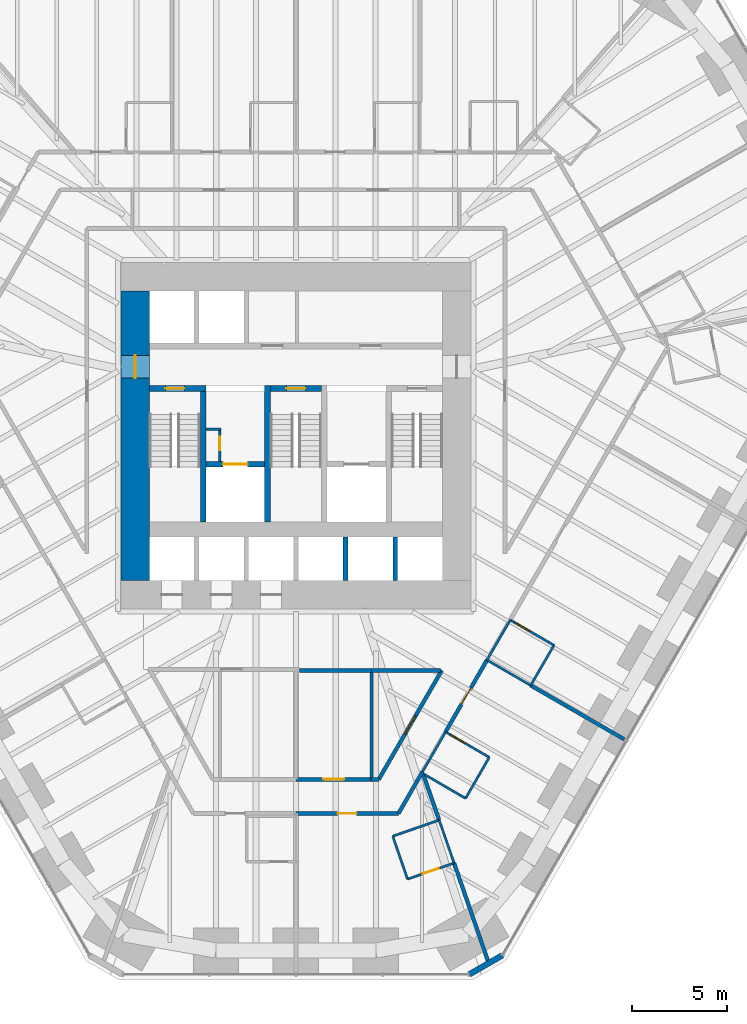
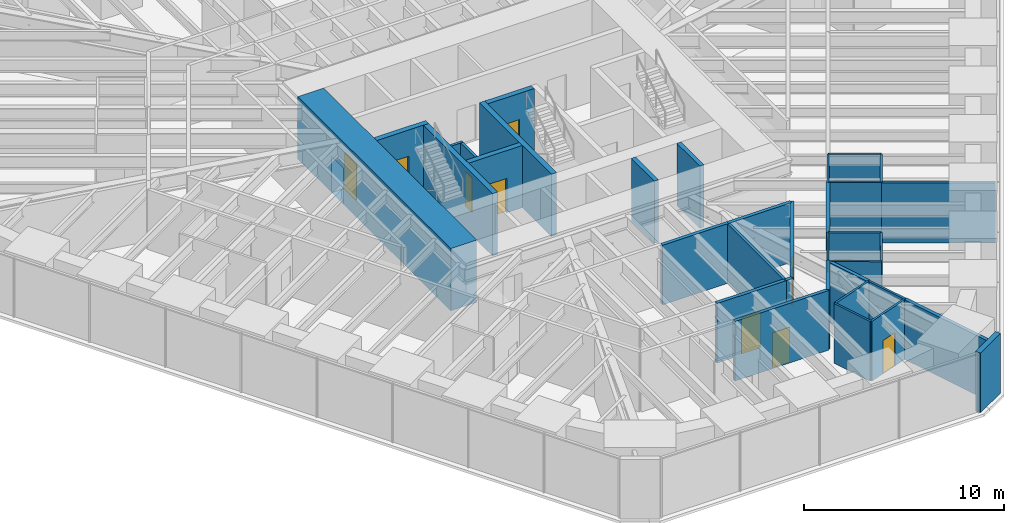
# One storey, part 12 of 17: 35 walls, 12 doors, 12 openings.
"""IFC4 building model written with IfcOpenShell, lengths in metres."""

from ifc_helpers import new_model, si_unit, direction, frame, frame_2d, origin, place, context, subcontext, project, spatial, rectangle, extrude, material, layer, layer_set, type_object, element, fill, save


model = new_model("IFC4")

# Units and contexts
model_context = context("Model", 3, precision=1e-05, world=origin(), true_north=direction((0.0, 1.0)))
body_context = subcontext(model_context, "Body", "Model", "MODEL_VIEW")
ifc_project = project(units=[si_unit("LENGTHUNIT", "METRE"), si_unit("AREAUNIT", "SQUARE_METRE"), si_unit("VOLUMEUNIT", "CUBIC_METRE"), si_unit("PLANEANGLEUNIT", "RADIAN"), si_unit("MASSUNIT", "GRAM", prefix="KILO")], contexts=[model_context])

# Site, building, storey
site_placement = place(None, origin())
site = spatial("IfcSite", under=ifc_project, at=site_placement, CompositionType="ELEMENT")
building_placement = place(site_placement, origin())
building = spatial("IfcBuilding", under=site, at=building_placement, Name="Sandreach Pilgrim Tower", CompositionType="ELEMENT")
storey_placement = place(building_placement, frame((0.0, 0.0, 49.60009765625)))
storey = spatial("IfcBuildingStorey", under=building, at=storey_placement, Name="L11", CompositionType="ELEMENT", Elevation=49.60009765625)

# Walls
ifc_material_1 = material(Name="Gypsum board on steel studs", Category="steel")
ifc_layer_1 = layer(ifc_material_1, 0.14990234375)
ifc_layer_set_1 = layer_set([ifc_layer_1], Name="Back of house wall 150")
wall_type_1 = type_object("IfcWallType", Name="Back of house wall 150", PredefinedType="PARTITIONING", material=ifc_layer_set_1)
wall_1_placement = place(storey_placement, frame((4.0, -13.949951171875, 0.0), z_axis=(0.0, 0.0, 1.0), x_axis=(0.0, -1.0, 0.0)))
element("IfcWall", 1, at=wall_1_placement, inside=storey, type_object=wall_type_1, Name="Back of house wall L11-073", PredefinedType="PARTITIONING", context=body_context, shape_type="SweptSolid", body=[
    extrude(rectangle(XDim=5.760009765625, YDim=0.14990234375, at=frame_2d((2.8798828125, 0.0))), origin(), (0.0, 0.0, 1.0), 3.639892578125),
])
ifc_material_2 = material(Name="Moisture-resistant gypsum board on steel studs", Category="steel")
ifc_layer_2 = layer(ifc_material_2, 0.1201171875)
ifc_layer_set_2 = layer_set([ifc_layer_2], Name="Bathroom partition 120")
wall_type_2 = type_object("IfcWallType", Name="Bathroom partition 120", PredefinedType="PARTITIONING", material=ifc_layer_set_2)
wall_2_placement = place(storey_placement, frame((5.1201171875, -22.7099609375, 0.0), z_axis=(0.0, 0.0, 1.0), x_axis=(0.324880771143, -0.945754981241, 0.0)))
element("IfcWall", 2, at=wall_2_placement, inside=storey, type_object=wall_type_2, Name="Bathroom partition L11-078", PredefinedType="PARTITIONING", context=body_context, shape_type="SweptSolid", body=[
    extrude(rectangle(XDim=2.400146484375, YDim=0.1201171875, at=frame_2d((1.2001953125, 0.0))), origin(), (0.0, 0.0, 1.0), 3.639892578125),
])

# Wall, opening, door
wall_3_placement = place(storey_placement, frame((5.89990234375, -24.97998046875, 0.0), z_axis=(0.0, 0.0, 1.0), x_axis=(0.945165466094, 0.326591857987, 0.0)))
wall_3 = element("IfcWall", 3, at=wall_3_placement, inside=storey, type_object=wall_type_2, Name="Bathroom partition L11-080", PredefinedType="PARTITIONING", context=body_context, shape_type="SweptSolid", body=[
    extrude(rectangle(XDim=2.60302734375, YDim=0.1201171875, at=frame_2d((1.301513671875, 0.0))), origin(), (0.0, 0.0, 1.0), 3.639892578125),
])
opening_1_placement = place(wall_3_placement, frame((0.85009765625, 0.0, 0.0)))
opening_1 = element("IfcOpeningElement", 4, at=opening_1_placement, cuts=wall_3, Name="Opening D09-10B", PredefinedType="OPENING", context=body_context, shape_type="SweptSolid", body=[
    extrude(rectangle(XDim=0.89990234375, YDim=2.030029296875, at=frame_2d((0.449951171875, 1.01513671875))), frame((0.0, 0.06005859375, 0.0), z_axis=(0.0, -1.0, 0.0), x_axis=(1.0, 0.0, 0.0)), (0.0, 0.0, 1.0), 0.1201171875),
])
ifc_material_3 = material(Name="Timber door, steel frame", Category="steel")
door_type_1 = type_object("IfcDoorType", Name="Bathroom door", OperationType="SINGLE_SWING_LEFT", PredefinedType="DOOR", material=ifc_material_3)
door_1_placement = place(opening_1_placement, origin())
door_1 = element("IfcDoor", 5, at=door_1_placement, inside=storey, type_object=door_type_1, Name="Door 1110B", OperationType="SINGLE_SWING_LEFT", OverallHeight=2.030029296875, OverallWidth=0.89990234375, PredefinedType="DOOR", context=body_context, shape_type="SweptSolid", body=[
    extrude(rectangle(XDim=0.89990234375, YDim=2.030029296875, at=frame_2d((0.449951171875, 1.01513671875))), frame((0.0, 0.02490234375, 0.0), z_axis=(0.0, -1.0, 0.0), x_axis=(1.0, 0.0, 0.0)), (0.0, 0.0, 1.0), 0.050048828125),
])
fill(opening_1, door_1)

# Walls
wall_4_placement = place(storey_placement, frame((6.68994140625, -19.31005859375, 0.0), z_axis=(0.0, 0.0, 1.0), x_axis=(0.500522890398, 0.865723302324, 0.0)))
element("IfcWall", 6, at=wall_4_placement, inside=storey, type_object=wall_type_2, Name="Bathroom partition L11-085", PredefinedType="PARTITIONING", context=body_context, shape_type="SweptSolid", body=[
    extrude(rectangle(XDim=2.4375, YDim=0.1201171875, at=frame_2d((1.21875, 0.0))), origin(), (0.0, 0.0, 1.0), 3.639892578125),
])
wall_5_placement = place(storey_placement, frame((6.807861328125, -19.455078125, 0.0), z_axis=(0.0, 0.0, 1.0), x_axis=(0.864881956308, -0.501975299844, 0.0)))
element("IfcWall", 7, at=wall_5_placement, inside=storey, type_object=wall_type_2, Name="Bathroom partition L11-086", PredefinedType="PARTITIONING", context=body_context, shape_type="SweptSolid", body=[
    extrude(rectangle(XDim=2.5, YDim=0.1201171875, at=frame_2d((1.25, 0.0))), origin(), (0.0, 0.0, 1.0), 3.639892578125),
])
wall_6_placement = place(storey_placement, frame((7.570068359375, -21.860107421875, 0.0), z_axis=(0.0, 0.0, 1.0), x_axis=(-0.944782191137, -0.327698964463, 0.0)))
element("IfcWall", 8, at=wall_6_placement, inside=storey, type_object=wall_type_2, Name="Bathroom partition L11-087", PredefinedType="PARTITIONING", context=body_context, shape_type="SweptSolid", body=[
    extrude(rectangle(XDim=2.593505859375, YDim=0.1201171875, at=frame_2d((1.296875, 0.0))), origin(), (0.0, 0.0, 1.0), 3.639892578125),
])
wall_7_placement = place(storey_placement, frame((7.570068359375, -21.860107421875, 0.0), z_axis=(0.0, 0.0, 1.0), x_axis=(0.328725498061, -0.944425511581, 0.0)))
element("IfcWall", 9, at=wall_7_placement, inside=storey, type_object=wall_type_2, Name="Bathroom partition L11-089", PredefinedType="PARTITIONING", context=body_context, shape_type="SweptSolid", body=[
    extrude(rectangle(XDim=2.4033203125, YDim=0.1201171875, at=frame_2d((1.20166015625, 0.0))), origin(), (0.0, 0.0, 1.0), 3.639892578125),
])
wall_8_placement = place(storey_placement, frame((8.969970703125, -20.7099609375, 0.0), z_axis=(0.0, 0.0, 1.0), x_axis=(0.499159685399, 0.866510016372, 0.0)))
element("IfcWall", 10, at=wall_8_placement, inside=storey, type_object=wall_type_2, Name="Bathroom partition L11-096", PredefinedType="PARTITIONING", context=body_context, shape_type="SweptSolid", body=[
    extrude(rectangle(XDim=2.504150390625, YDim=0.1201171875, at=frame_2d((1.251953125, 0.0))), origin(), (0.0, 0.0, 1.0), 3.639892578125),
])
wall_9_placement = place(storey_placement, frame((10.10009765625, -13.39990234375, 0.0), z_axis=(0.0, 0.0, 1.0), x_axis=(0.501856726365, 0.86495076519, 0.0)))
element("IfcWall", 11, at=wall_9_placement, inside=storey, type_object=wall_type_2, Name="Bathroom partition L11-099", PredefinedType="PARTITIONING", context=body_context, shape_type="SweptSolid", body=[
    extrude(rectangle(XDim=2.450927734375, YDim=0.1201171875, at=frame_2d((1.2255859375, 0.0))), origin(), (0.0, 0.0, 1.0), 3.639892578125),
])
wall_10_placement = place(storey_placement, frame((10.10009765625, -13.39990234375, 0.0), z_axis=(0.0, 0.0, 1.0), x_axis=(0.864966903181, -0.501828911485, 0.0)))
element("IfcWall", 12, at=wall_10_placement, inside=storey, type_object=wall_type_2, Name="Bathroom partition L11-100", PredefinedType="PARTITIONING", context=body_context, shape_type="SweptSolid", body=[
    extrude(rectangle(XDim=2.67041015625, YDim=0.1201171875, at=frame_2d((1.335205078125, 0.0))), origin(), (0.0, 0.0, 1.0), 3.639892578125),
])

# Wall, opening, door
wall_11_placement = place(storey_placement, frame((10.219970703125, -18.5400390625, 0.0), z_axis=(0.0, 0.0, 1.0), x_axis=(-0.86498992408, 0.501789229896, 0.0)))
wall_11 = element("IfcWall", 13, at=wall_11_placement, inside=storey, type_object=wall_type_2, Name="Bathroom partition L11-101", PredefinedType="PARTITIONING", context=body_context, shape_type="SweptSolid", body=[
    extrude(rectangle(XDim=2.670654296875, YDim=0.1201171875, at=frame_2d((1.33544921875, 0.0))), origin(), (0.0, 0.0, 1.0), 3.639892578125),
])
opening_2_placement = place(wall_11_placement, frame((1.470458984375, 0.0, 0.0)))
opening_2 = element("IfcOpeningElement", 14, at=opening_2_placement, cuts=wall_11, Name="Opening D09-09B", PredefinedType="OPENING", context=body_context, shape_type="SweptSolid", body=[
    extrude(rectangle(XDim=0.89990234375, YDim=2.030029296875, at=frame_2d((0.449951171875, 1.01513671875))), frame((0.0, 0.06005859375, 0.0), z_axis=(0.0, -1.0, 0.0), x_axis=(1.0, 0.0, 0.0)), (0.0, 0.0, 1.0), 0.1201171875),
])
door_2_placement = place(opening_2_placement, origin())
door_2 = element("IfcDoor", 15, at=door_2_placement, inside=storey, type_object=door_type_1, Name="Door 1109B", OperationType="SINGLE_SWING_RIGHT", OverallHeight=2.030029296875, OverallWidth=0.89990234375, PredefinedType="DOOR", context=body_context, shape_type="SweptSolid", body=[
    extrude(rectangle(XDim=0.89990234375, YDim=2.030029296875, at=frame_2d((0.449951171875, 1.01513671875))), frame((0.0, 0.02490234375, 0.0), z_axis=(0.0, -1.0, 0.0), x_axis=(1.0, 0.0, 0.0)), (0.0, 0.0, 1.0), 0.050048828125),
])
fill(opening_2, door_2)

# Wall
wall_12_placement = place(storey_placement, frame((12.409912109375, -14.739990234375, 0.0), z_axis=(0.0, 0.0, 1.0), x_axis=(0.501813488763, 0.864975850817, 0.0)))
element("IfcWall", 16, at=wall_12_placement, inside=storey, type_object=wall_type_2, Name="Bathroom partition L11-109", PredefinedType="PARTITIONING", context=body_context, shape_type="SweptSolid", body=[
    extrude(rectangle(XDim=2.451171875, YDim=0.1201171875, at=frame_2d((1.2255859375, 0.0))), origin(), (0.0, 0.0, 1.0), 3.639892578125),
])

# Wall, opening, door
wall_13_placement = place(storey_placement, frame((13.639892578125, -12.6201171875, 0.0), z_axis=(0.0, 0.0, 1.0), x_axis=(-0.864966903181, 0.501828911485, 0.0)))
wall_13 = element("IfcWall", 17, at=wall_13_placement, inside=storey, type_object=wall_type_2, Name="Bathroom partition L11-114", PredefinedType="PARTITIONING", context=body_context, shape_type="SweptSolid", body=[
    extrude(rectangle(XDim=2.67041015625, YDim=0.1201171875, at=frame_2d((1.335205078125, 0.0))), origin(), (0.0, 0.0, 1.0), 3.639892578125),
])
opening_3_placement = place(wall_13_placement, frame((1.470458984375, 0.0, 0.0)))
opening_3 = element("IfcOpeningElement", 18, at=opening_3_placement, cuts=wall_13, Name="Opening D09-08B", PredefinedType="OPENING", context=body_context, shape_type="SweptSolid", body=[
    extrude(rectangle(XDim=0.89990234375, YDim=2.030029296875, at=frame_2d((0.449951171875, 1.01513671875))), frame((0.0, 0.06005859375, 0.0), z_axis=(0.0, -1.0, 0.0), x_axis=(1.0, 0.0, 0.0)), (0.0, 0.0, 1.0), 0.1201171875),
])
door_3_placement = place(opening_3_placement, origin())
door_3 = element("IfcDoor", 19, at=door_3_placement, inside=storey, type_object=door_type_1, Name="Door 1108B", OperationType="SINGLE_SWING_RIGHT", OverallHeight=2.030029296875, OverallWidth=0.89990234375, PredefinedType="DOOR", context=body_context, shape_type="SweptSolid", body=[
    extrude(rectangle(XDim=0.89990234375, YDim=2.030029296875, at=frame_2d((0.449951171875, 1.01513671875))), frame((0.0, 0.02490234375, 0.0), z_axis=(0.0, -1.0, 0.0), x_axis=(1.0, 0.0, 0.0)), (0.0, 0.0, 1.0), 0.050048828125),
])
fill(opening_3, door_3)

# Walls
ifc_material_4 = material(Name="Concrete 10000 psi", Category="concrete")
ifc_layer_3 = layer(ifc_material_4, 0.300048828125)
ifc_layer_set_3 = layer_set([ifc_layer_3], Name="Core inner wall 300")
wall_type_3 = type_object("IfcWallType", Name="Core inner wall 300", PredefinedType="SHEAR", material=ifc_layer_set_3)
for number, where, z_axis, x_axis, name in (
    (20, (-4.89990234375, -6.10009765625, 0.0), (0.0, 0.0, 1.0), (0.0, 1.0, 0.0), "Core wall I0 L11"),
    (21, (-1.5, -6.10009765625, 0.0), (0.0, 0.0, 1.0), (0.0, 1.0, 0.0), "Core wall I1 L11"),
):
    element("IfcWall", number, at=place(storey_placement, frame(where, z_axis=z_axis, x_axis=x_axis)), inside=storey, type_object=wall_type_3, Name=name, PredefinedType="SHEAR", context=body_context, shape_type="SweptSolid", body=[
        extrude(rectangle(XDim=7.2001953125, YDim=0.300048828125, at=frame_2d((3.60009765625, 0.0))), origin(), (0.0, 0.0, 1.0), 3.7998046875),
    ])

# Wall, opening, door
wall_14_placement = place(storey_placement, frame((-7.75, 0.949951171875, 0.0), z_axis=(0.0, 0.0, 1.0), x_axis=(1.0, 0.0, 0.0)))
wall_14 = element("IfcWall", 22, at=wall_14_placement, inside=storey, type_object=wall_type_3, Name="Core wall SN1 L11", PredefinedType="SHEAR", context=body_context, shape_type="SweptSolid", body=[
    extrude(rectangle(XDim=3.0, YDim=0.300048828125, at=frame_2d((1.5, 0.0))), origin(), (0.0, 0.0, 1.0), 3.7998046875),
])
opening_4_placement = place(wall_14_placement, frame((0.85009765625, 0.0, 0.0)))
opening_4 = element("IfcOpeningElement", 23, at=opening_4_placement, cuts=wall_14, Name="Opening D10S-ST1", PredefinedType="OPENING", context=body_context, shape_type="SweptSolid", body=[
    extrude(rectangle(XDim=1.0, YDim=2.199951171875, at=frame_2d((0.5, 1.10009765625))), frame((0.0, 0.14990234375, 0.0), z_axis=(0.0, -1.0, 0.0), x_axis=(1.0, 0.0, 0.0)), (0.0, 0.0, 1.0), 0.300048828125),
])
ifc_material_5 = material(Name="Steel door and frame", Category="steel")
door_type_2 = type_object("IfcDoorType", Name="Stair door", OperationType="SINGLE_SWING_LEFT", PredefinedType="DOOR", material=ifc_material_5)
door_4_placement = place(opening_4_placement, origin())
door_4 = element("IfcDoor", 24, at=door_4_placement, inside=storey, type_object=door_type_2, Name="Stair door ST1 L11", OperationType="SINGLE_SWING_LEFT", OverallHeight=2.199951171875, OverallWidth=1.0, PredefinedType="DOOR", context=body_context, shape_type="SweptSolid", body=[
    extrude(rectangle(XDim=1.0, YDim=2.199951171875, at=frame_2d((0.5, 1.10009765625))), frame((0.0, 0.02490234375, 0.0), z_axis=(0.0, -1.0, 0.0), x_axis=(1.0, 0.0, 0.0)), (0.0, 0.0, 1.0), 0.050048828125),
])
fill(opening_4, door_4)

wall_15_placement = place(storey_placement, frame((-1.35009765625, 0.949951171875, 0.0), z_axis=(0.0, 0.0, 1.0), x_axis=(1.0, 0.0, 0.0)))
wall_15 = element("IfcWall", 25, at=wall_15_placement, inside=storey, type_object=wall_type_3, Name="Core wall SN3 L11", PredefinedType="SHEAR", context=body_context, shape_type="SweptSolid", body=[
    extrude(rectangle(XDim=2.7001953125, YDim=0.300048828125, at=frame_2d((1.35009765625, 0.0))), origin(), (0.0, 0.0, 1.0), 3.7998046875),
])
opening_5_placement = place(wall_15_placement, frame((0.85009765625, 0.0, 0.0)))
opening_5 = element("IfcOpeningElement", 26, at=opening_5_placement, cuts=wall_15, Name="Opening D10S-ST3", PredefinedType="OPENING", context=body_context, shape_type="SweptSolid", body=[
    extrude(rectangle(XDim=1.0, YDim=2.199951171875, at=frame_2d((0.5, 1.10009765625))), frame((0.0, 0.14990234375, 0.0), z_axis=(0.0, -1.0, 0.0), x_axis=(1.0, 0.0, 0.0)), (0.0, 0.0, 1.0), 0.300048828125),
])
door_5_placement = place(opening_5_placement, origin())
door_5 = element("IfcDoor", 27, at=door_5_placement, inside=storey, type_object=door_type_2, Name="Stair door ST3 L11", OperationType="SINGLE_SWING_LEFT", OverallHeight=2.199951171875, OverallWidth=1.0, PredefinedType="DOOR", context=body_context, shape_type="SweptSolid", body=[
    extrude(rectangle(XDim=1.0, YDim=2.199951171875, at=frame_2d((0.5, 1.10009765625))), frame((0.0, 0.02490234375, 0.0), z_axis=(0.0, -1.0, 0.0), x_axis=(1.0, 0.0, 0.0)), (0.0, 0.0, 1.0), 0.050048828125),
])
fill(opening_5, door_5)

wall_16_placement = place(storey_placement, frame((-4.75, -3.050048828125, 0.0), z_axis=(0.0, 0.0, 1.0), x_axis=(1.0, 0.0, 0.0)))
wall_16 = element("IfcWall", 28, at=wall_16_placement, inside=storey, type_object=wall_type_3, Name="Core wall FL1 L11", PredefinedType="SHEAR", context=body_context, shape_type="SweptSolid", body=[
    extrude(rectangle(XDim=3.10009765625, YDim=0.300048828125, at=frame_2d((1.550048828125, 0.0))), origin(), (0.0, 0.0, 1.0), 3.7998046875),
])
opening_6_placement = place(wall_16_placement, frame((0.89990234375, 0.0, 0.0)))
opening_6 = element("IfcOpeningElement", 29, at=opening_6_placement, cuts=wall_16, Name="Opening LD13", PredefinedType="OPENING", context=body_context, shape_type="SweptSolid", body=[
    extrude(rectangle(XDim=1.300048828125, YDim=2.10009765625, at=frame_2d((0.64990234375, 1.050048828125))), frame((0.0, 0.14990234375, 0.0), z_axis=(0.0, -1.0, 0.0), x_axis=(1.0, 0.0, 0.0)), (0.0, 0.0, 1.0), 0.300048828125),
])
ifc_material_6 = material(Name="Steel door and frame", Category="steel")
door_type_3 = type_object("IfcDoorType", Name="Fire service lift landing door", OperationType="DOUBLE_DOOR_SLIDING", PredefinedType="DOOR", material=ifc_material_6)
door_6_placement = place(opening_6_placement, origin())
door_6 = element("IfcDoor", 30, at=door_6_placement, inside=storey, type_object=door_type_3, Name="Lift landing door FS1 L11", OperationType="DOUBLE_DOOR_SLIDING", OverallHeight=2.10009765625, OverallWidth=1.300048828125, PredefinedType="DOOR", context=body_context, shape_type="SweptSolid", body=[
    extrude(rectangle(XDim=1.300048828125, YDim=2.10009765625, at=frame_2d((0.64990234375, 1.050048828125))), frame((0.0, 0.02490234375, 0.0), z_axis=(0.0, -1.0, 0.0), x_axis=(1.0, 0.0, 0.0)), (0.0, 0.0, 1.0), 0.050048828125),
])
fill(opening_6, door_6)

ifc_material_7 = material(Name="Concrete 10000 psi", Category="concrete")
ifc_layer_4 = layer(ifc_material_7, 1.5)
ifc_layer_set_4 = layer_set([ifc_layer_4], Name="Core wall 1500")
wall_type_4 = type_object("IfcWallType", Name="Core wall 1500", PredefinedType="SHEAR", material=ifc_layer_set_4)
wall_17_placement = place(storey_placement, frame((-8.5, -9.199951171875, 0.0), z_axis=(0.0, 0.0, 1.0), x_axis=(0.0, 1.0, 0.0)))
wall_17 = element("IfcWall", 31, at=wall_17_placement, inside=storey, type_object=wall_type_4, Name="Core wall W L11", PredefinedType="SHEAR", context=body_context, shape_type="SweptSolid", body=[
    extrude(rectangle(XDim=15.300048828125, YDim=1.5, at=frame_2d((7.64990234375, 0.0))), origin(), (0.0, 0.0, 1.0), 3.7998046875),
])
opening_7_placement = place(wall_17_placement, frame((10.699951171875, 0.0, 0.0)))
opening_7 = element("IfcOpeningElement", 32, at=opening_7_placement, cuts=wall_17, Name="Opening D12F-W", PredefinedType="OPENING", context=body_context, shape_type="SweptSolid", body=[
    extrude(rectangle(XDim=1.199951171875, YDim=2.199951171875, at=frame_2d((0.60009765625, 1.10009765625))), frame((0.0, 0.75, 0.0), z_axis=(0.0, -1.0, 0.0), x_axis=(1.0, 0.0, 0.0)), (0.0, 0.0, 1.0), 1.5),
])
ifc_material_8 = material(Name="Steel door and frame", Category="steel")
door_type_4 = type_object("IfcDoorType", Name="Fire lobby door", OperationType="SINGLE_SWING_LEFT", PredefinedType="DOOR", material=ifc_material_8)
door_7_placement = place(opening_7_placement, origin())
door_7 = element("IfcDoor", 33, at=door_7_placement, inside=storey, type_object=door_type_4, Name="Fire service lobby door W L11", OperationType="SINGLE_SWING_RIGHT", OverallHeight=2.199951171875, OverallWidth=1.199951171875, PredefinedType="DOOR", context=body_context, shape_type="SweptSolid", body=[
    extrude(rectangle(XDim=1.199951171875, YDim=2.199951171875, at=frame_2d((0.60009765625, 1.10009765625))), frame((0.0, 0.02490234375, 0.0), z_axis=(0.0, -1.0, 0.0), x_axis=(1.0, 0.0, 0.0)), (0.0, 0.0, 1.0), 0.050048828125),
])
fill(opening_7, door_7)

ifc_material_9 = material(Name="Gypsum board on steel studs, two layers each side", Category="steel")
ifc_layer_5 = layer(ifc_material_9, 0.199951171875)
ifc_layer_set_5 = layer_set([ifc_layer_5], Name="Corridor wall 200")
wall_type_5 = type_object("IfcWallType", Name="Corridor wall 200", PredefinedType="PARTITIONING", material=ifc_layer_set_5)
wall_18_placement = place(storey_placement, frame((0.0, -21.510009765625, 0.0), z_axis=(0.0, 0.0, 1.0), x_axis=(1.0, 0.0, 0.0)))
wall_18 = element("IfcWall", 34, at=wall_18_placement, inside=storey, type_object=wall_type_5, Name="Corridor wall L11-060", PredefinedType="PARTITIONING", context=body_context, shape_type="SweptSolid", body=[
    extrude(rectangle(XDim=5.419921875, YDim=0.199951171875, at=frame_2d((2.7099609375, 0.0))), origin(), (0.0, 0.0, 1.0), 3.639892578125),
])
opening_8_placement = place(wall_18_placement, frame((2.2099609375, 0.0, 0.0)))
opening_8 = element("IfcOpeningElement", 35, at=opening_8_placement, cuts=wall_18, Name="Opening D10-10", PredefinedType="OPENING", context=body_context, shape_type="SweptSolid", body=[
    extrude(rectangle(XDim=1.0, YDim=2.1298828125, at=frame_2d((0.5, 1.06494140625))), frame((0.0, 0.10009765625, 0.0), z_axis=(0.0, -1.0, 0.0), x_axis=(1.0, 0.0, 0.0)), (0.0, 0.0, 1.0), 0.199951171875),
])
ifc_material_10 = material(Name="Steel door and frame", Category="steel")
door_type_5 = type_object("IfcDoorType", Name="Guest room entry door", OperationType="SINGLE_SWING_LEFT", PredefinedType="DOOR", material=ifc_material_10)
door_8_placement = place(opening_8_placement, origin())
door_8 = element("IfcDoor", 36, at=door_8_placement, inside=storey, type_object=door_type_5, Name="Door 1110", OperationType="SINGLE_SWING_LEFT", OverallHeight=2.1298828125, OverallWidth=1.0, PredefinedType="DOOR", context=body_context, shape_type="SweptSolid", body=[
    extrude(rectangle(XDim=1.0, YDim=2.1298828125, at=frame_2d((0.5, 1.06494140625))), frame((0.0, 0.02490234375, 0.0), z_axis=(0.0, -1.0, 0.0), x_axis=(1.0, 0.0, 0.0)), (0.0, 0.0, 1.0), 0.050048828125),
])
fill(opening_8, door_8)

# Wall
wall_19_placement = place(storey_placement, frame((0.179931640625, -13.949951171875, 0.0), z_axis=(0.0, 0.0, 1.0), x_axis=(1.0, 0.0, 0.0)))
element("IfcWall", 37, at=wall_19_placement, inside=storey, type_object=wall_type_5, Name="Corridor wall L11-070", PredefinedType="PARTITIONING", context=body_context, shape_type="SweptSolid", body=[
    extrude(rectangle(XDim=3.820068359375, YDim=0.199951171875, at=frame_2d((1.91015625, 0.0))), origin(), (0.0, 0.0, 1.0), 3.639892578125),
])

# Wall, opening, door
wall_20_placement = place(storey_placement, frame((4.0, -19.7099609375, 0.0), z_axis=(0.0, 0.0, 1.0), x_axis=(-1.0, 0.0, 0.0)))
wall_20 = element("IfcWall", 38, at=wall_20_placement, inside=storey, type_object=wall_type_5, Name="Corridor wall L11-072", PredefinedType="PARTITIONING", context=body_context, shape_type="SweptSolid", body=[
    extrude(rectangle(XDim=4.0, YDim=0.199951171875, at=frame_2d((2.0, 0.0))), origin(), (0.0, 0.0, 1.0), 3.639892578125),
])
opening_9_placement = place(wall_20_placement, frame((1.449951171875, 0.0, 0.0)))
opening_9 = element("IfcOpeningElement", 39, at=opening_9_placement, cuts=wall_20, Name="Opening D11H-S3", PredefinedType="OPENING", context=body_context, shape_type="SweptSolid", body=[
    extrude(rectangle(XDim=1.10009765625, YDim=2.199951171875, at=frame_2d((0.550048828125, 1.10009765625))), frame((0.0, 0.10009765625, 0.0), z_axis=(0.0, -1.0, 0.0), x_axis=(1.0, 0.0, 0.0)), (0.0, 0.0, 1.0), 0.199951171875),
])
ifc_material_11 = material(Name="Steel door and frame", Category="steel")
door_type_6 = type_object("IfcDoorType", Name="Back of house door", OperationType="SINGLE_SWING_LEFT", PredefinedType="DOOR", material=ifc_material_11)
door_9_placement = place(opening_9_placement, origin())
door_9 = element("IfcDoor", 40, at=door_9_placement, inside=storey, type_object=door_type_6, Name="Door 11S3", OperationType="SINGLE_SWING_LEFT", OverallHeight=2.199951171875, OverallWidth=1.10009765625, PredefinedType="DOOR", context=body_context, shape_type="SweptSolid", body=[
    extrude(rectangle(XDim=1.10009765625, YDim=2.199951171875, at=frame_2d((0.550048828125, 1.10009765625))), frame((0.0, 0.02490234375, 0.0), z_axis=(0.0, -1.0, 0.0), x_axis=(1.0, 0.0, 0.0)), (0.0, 0.0, 1.0), 0.050048828125),
])
fill(opening_9, door_9)

# Walls
wall_21_placement = place(storey_placement, frame((4.0, -13.949951171875, 0.0), z_axis=(0.0, 0.0, 1.0), x_axis=(1.0, 0.0, 0.0)))
element("IfcWall", 41, at=wall_21_placement, inside=storey, type_object=wall_type_5, Name="Corridor wall L11-074", PredefinedType="PARTITIONING", context=body_context, shape_type="SweptSolid", body=[
    extrude(rectangle(XDim=3.635009765625, YDim=0.199951171875, at=frame_2d((1.8173828125, 0.0))), origin(), (0.0, 0.0, 1.0), 3.639892578125),
])
wall_22_placement = place(storey_placement, frame((4.3798828125, -19.7099609375, 0.0), z_axis=(0.0, 0.0, 1.0), x_axis=(-1.0, 0.0, 0.0)))
element("IfcWall", 42, at=wall_22_placement, inside=storey, type_object=wall_type_5, Name="Corridor wall L11-077", PredefinedType="PARTITIONING", context=body_context, shape_type="SweptSolid", body=[
    extrude(rectangle(XDim=0.3798828125, YDim=0.199951171875, at=frame_2d((0.18994140625, 0.0))), origin(), (0.0, 0.0, 1.0), 3.639892578125),
])
wall_23_placement = place(storey_placement, frame((5.419921875, -21.510009765625, 0.0), z_axis=(0.0, 0.0, 1.0), x_axis=(0.499963722229, 0.866046347752, 0.0)))
element("IfcWall", 43, at=wall_23_placement, inside=storey, type_object=wall_type_5, Name="Corridor wall L11-079", PredefinedType="PARTITIONING", context=body_context, shape_type="SweptSolid", body=[
    extrude(rectangle(XDim=2.540283203125, YDim=0.199951171875, at=frame_2d((1.27001953125, 0.0))), origin(), (0.0, 0.0, 1.0), 3.639892578125),
])

# Wall, opening, door
wall_24_placement = place(storey_placement, frame((7.7099609375, -13.949951171875, 0.0), z_axis=(0.0, 0.0, 1.0), x_axis=(-0.500511113963, -0.865730110831, 0.0)))
wall_24 = element("IfcWall", 44, at=wall_24_placement, inside=storey, type_object=wall_type_5, Name="Corridor wall L11-090", PredefinedType="PARTITIONING", context=body_context, shape_type="SweptSolid", body=[
    extrude(rectangle(XDim=6.6533203125, YDim=0.199951171875, at=frame_2d((3.32666015625, 0.0))), origin(), (0.0, 0.0, 1.0), 3.639892578125),
])
opening_10_placement = place(wall_24_placement, frame((2.776611328125, 0.0, 0.0)))
opening_10 = element("IfcOpeningElement", 45, at=opening_10_placement, cuts=wall_24, Name="Opening D11H-S4", PredefinedType="OPENING", context=body_context, shape_type="SweptSolid", body=[
    extrude(rectangle(XDim=1.10009765625, YDim=2.199951171875, at=frame_2d((0.550048828125, 1.10009765625))), frame((0.0, 0.10009765625, 0.0), z_axis=(0.0, -1.0, 0.0), x_axis=(1.0, 0.0, 0.0)), (0.0, 0.0, 1.0), 0.199951171875),
])
door_10_placement = place(opening_10_placement, origin())
door_10 = element("IfcDoor", 46, at=door_10_placement, inside=storey, type_object=door_type_6, Name="Door 11S4", OperationType="SINGLE_SWING_LEFT", OverallHeight=2.199951171875, OverallWidth=1.10009765625, PredefinedType="DOOR", context=body_context, shape_type="SweptSolid", body=[
    extrude(rectangle(XDim=1.10009765625, YDim=2.199951171875, at=frame_2d((0.550048828125, 1.10009765625))), frame((0.0, 0.02490234375, 0.0), z_axis=(0.0, -1.0, 0.0), x_axis=(1.0, 0.0, 0.0)), (0.0, 0.0, 1.0), 0.050048828125),
])
fill(opening_10, door_10)

wall_25_placement = place(storey_placement, frame((7.9091796875, -17.199462890625, 0.0), z_axis=(0.0, 0.0, 1.0), x_axis=(0.499528080516, 0.866297695239, 0.0)))
wall_25 = element("IfcWall", 47, at=wall_25_placement, inside=storey, type_object=wall_type_5, Name="Corridor wall L11-091", PredefinedType="PARTITIONING", context=body_context, shape_type="SweptSolid", body=[
    extrude(rectangle(XDim=4.385986328125, YDim=0.199951171875, at=frame_2d((2.19287109375, 0.0))), origin(), (0.0, 0.0, 1.0), 3.639892578125),
])
opening_11_placement = place(wall_25_placement, frame((1.69287109375, 0.0, 0.0)))
opening_11 = element("IfcOpeningElement", 48, at=opening_11_placement, cuts=wall_25, Name="Opening D10-09", PredefinedType="OPENING", context=body_context, shape_type="SweptSolid", body=[
    extrude(rectangle(XDim=1.0, YDim=2.1298828125, at=frame_2d((0.5, 1.06494140625))), frame((0.0, 0.10009765625, 0.0), z_axis=(0.0, -1.0, 0.0), x_axis=(1.0, 0.0, 0.0)), (0.0, 0.0, 1.0), 0.199951171875),
])
door_11_placement = place(opening_11_placement, origin())
door_11 = element("IfcDoor", 49, at=door_11_placement, inside=storey, type_object=door_type_5, Name="Door 1109", OperationType="SINGLE_SWING_LEFT", OverallHeight=2.1298828125, OverallWidth=1.0, PredefinedType="DOOR", context=body_context, shape_type="SweptSolid", body=[
    extrude(rectangle(XDim=1.0, YDim=2.1298828125, at=frame_2d((0.5, 1.06494140625))), frame((0.0, 0.02490234375, 0.0), z_axis=(0.0, -1.0, 0.0), x_axis=(1.0, 0.0, 0.0)), (0.0, 0.0, 1.0), 0.050048828125),
])
fill(opening_11, door_11)

# Walls
ifc_material_12 = material(Name="Double steel stud acoustic wall, gypsum board", Category="steel")
ifc_layer_6 = layer(ifc_material_12, 0.199951171875)
ifc_layer_set_6 = layer_set([ifc_layer_6], Name="Party wall 200")
wall_type_6 = type_object("IfcWallType", Name="Party wall 200", PredefinedType="PARTITIONING", material=ifc_layer_set_6)
wall_26_placement = place(storey_placement, frame((7.570068359375, -21.860107421875, 0.0), z_axis=(0.0, 0.0, 1.0), x_axis=(-0.327782990589, 0.944753042377, 0.0)))
element("IfcWall", 50, at=wall_26_placement, inside=storey, type_object=wall_type_6, Name="Party wall L11-088", PredefinedType="PARTITIONING", context=body_context, shape_type="SweptSolid", body=[
    extrude(rectangle(XDim=2.593505859375, YDim=0.199951171875, at=frame_2d((1.296875, 0.0))), origin(), (0.0, 0.0, 1.0), 3.639892578125),
])
wall_27_placement = place(storey_placement, frame((8.360107421875, -24.1298828125, 0.0), z_axis=(0.0, 0.0, 1.0), x_axis=(0.327332811485, -0.944909112309, 0.0)))
element("IfcWall", 51, at=wall_27_placement, inside=storey, type_object=wall_type_6, Name="Party wall L11-092", PredefinedType="PARTITIONING", context=body_context, shape_type="SweptSolid", body=[
    extrude(rectangle(XDim=5.621337890625, YDim=0.199951171875, at=frame_2d((2.810546875, 0.0))), origin(), (0.0, 0.0, 1.0), 3.639892578125),
])
wall_28_placement = place(storey_placement, frame((17.35595703125, -17.590087890625, 0.0), z_axis=(0.0, 0.0, 1.0), x_axis=(-0.866442508333, 0.499276856818, 0.0)))
element("IfcWall", 52, at=wall_28_placement, inside=storey, type_object=wall_type_6, Name="Party wall L11-122", PredefinedType="PARTITIONING", context=body_context, shape_type="SweptSolid", body=[
    extrude(rectangle(XDim=5.70849609375, YDim=0.199951171875, at=frame_2d((2.854248046875, 0.0))), origin(), (0.0, 0.0, 1.0), 3.639892578125),
])

# Wall, opening, door
ifc_material_13 = material(Name="Gypsum shaft wall on steel studs, shaft liner board", Category="steel")
ifc_layer_7 = layer(ifc_material_13, 0.14990234375)
ifc_layer_set_7 = layer_set([ifc_layer_7], Name="Riser shaft wall 150")
wall_type_7 = type_object("IfcWallType", Name="Riser shaft wall 150", PredefinedType="PARTITIONING", material=ifc_layer_set_7)
wall_29_placement = place(storey_placement, frame((-4.02490234375, -2.89990234375, 0.0), z_axis=(0.0, 0.0, 1.0), x_axis=(0.0, 1.0, 0.0)))
wall_29 = element("IfcWall", 53, at=wall_29_placement, inside=storey, type_object=wall_type_7, Name="Riser partition L11 side", PredefinedType="PARTITIONING", context=body_context, shape_type="SweptSolid", body=[
    extrude(rectangle(XDim=1.77490234375, YDim=0.14990234375, at=frame_2d((0.887451171875, 0.0))), origin(), (0.0, 0.0, 1.0), 3.639892578125),
])
opening_12_placement = place(wall_29_placement, frame((0.60009765625, 0.0, 0.0)))
opening_12 = element("IfcOpeningElement", 54, at=opening_12_placement, cuts=wall_29, Name="Opening D07R", PredefinedType="OPENING", context=body_context, shape_type="SweptSolid", body=[
    extrude(rectangle(XDim=0.699951171875, YDim=2.10009765625, at=frame_2d((0.35009765625, 1.050048828125))), frame((0.0, 0.074951171875, 0.0), z_axis=(0.0, -1.0, 0.0), x_axis=(1.0, 0.0, 0.0)), (0.0, 0.0, 1.0), 0.14990234375),
])
ifc_material_14 = material(Name="Steel door and frame, smoke seals", Category="steel")
door_type_7 = type_object("IfcDoorType", Name="Riser access door", OperationType="SINGLE_SWING_RIGHT", PredefinedType="DOOR", material=ifc_material_14)
door_12_placement = place(opening_12_placement, origin())
door_12 = element("IfcDoor", 55, at=door_12_placement, inside=storey, type_object=door_type_7, Name="Door riser 11ER", OperationType="SINGLE_SWING_RIGHT", OverallHeight=2.10009765625, OverallWidth=0.699951171875, PredefinedType="DOOR", context=body_context, shape_type="SweptSolid", body=[
    extrude(rectangle(XDim=0.699951171875, YDim=2.10009765625, at=frame_2d((0.35009765625, 1.050048828125))), frame((0.0, 0.02490234375, 0.0), z_axis=(0.0, -1.0, 0.0), x_axis=(1.0, 0.0, 0.0)), (0.0, 0.0, 1.0), 0.050048828125),
])
fill(opening_12, door_12)

# Walls
wall_30_placement = place(storey_placement, frame((-4.75, -1.199951171875, 0.0), z_axis=(0.0, 0.0, 1.0), x_axis=(1.0, 0.0, 0.0)))
element("IfcWall", 56, at=wall_30_placement, inside=storey, type_object=wall_type_7, Name="Riser partition L11 front", PredefinedType="PARTITIONING", context=body_context, shape_type="SweptSolid", body=[
    extrude(rectangle(XDim=0.800048828125, YDim=0.14990234375, at=frame_2d((0.39990234375, 0.0))), origin(), (0.0, 0.0, 1.0), 3.639892578125),
])
ifc_material_15 = material(Name="Gypsum shaft wall on steel studs, two layers of shaft liner board", Category="steel")
ifc_layer_8 = layer(ifc_material_15, 0.25)
ifc_layer_set_8 = layer_set([ifc_layer_8], Name="Shaft partition 250")
wall_type_8 = type_object("IfcWallType", Name="Shaft partition 250", PredefinedType="PARTITIONING", material=ifc_layer_set_8)
for number, where, z_axis, x_axis, name in (
    (57, (2.625, -9.199951171875, 0.0), (0.0, 0.0, 1.0), (0.0, 1.0, 0.0), "Shaft partition XS3 L11"),
    (58, (5.25, -9.199951171875, 0.0), (0.0, 0.0, 1.0), (0.0, 1.0, 0.0), "Shaft partition XS4 L11"),
):
    element("IfcWall", number, at=place(storey_placement, frame(where, z_axis=z_axis, x_axis=x_axis)), inside=storey, type_object=wall_type_8, Name=name, PredefinedType="PARTITIONING", context=body_context, shape_type="SweptSolid", body=[
        extrude(rectangle(XDim=2.300048828125, YDim=0.25, at=frame_2d((1.14990234375, 0.0))), origin(), (0.0, 0.0, 1.0), 3.7998046875),
    ])
ifc_material_16 = material(Name="Terracotta rainscreen on concrete", Category="masonry")
ifc_layer_9 = layer(ifc_material_16, 0.300048828125)
ifc_layer_set_9 = layer_set([ifc_layer_9], Name="Terracotta chamfer pier")
wall_type_9 = type_object("IfcWallType", Name="Terracotta chamfer pier", PredefinedType="SOLIDWALL", material=ifc_layer_set_9)
wall_31_placement = place(storey_placement, frame((10.904052734375, -29.010986328125, 0.0), z_axis=(0.0, 0.0, 1.0), x_axis=(-0.866010750942, -0.50002537861, 0.0)))
element("IfcWall", 59, at=wall_31_placement, inside=storey, type_object=wall_type_9, Name="Chamfer pier L11 SE", PredefinedType="SOLIDWALL", context=body_context, shape_type="SweptSolid", body=[
    extrude(rectangle(XDim=2.0, YDim=0.300048828125, at=frame_2d((1.0, 0.0))), origin(), (0.0, 0.0, 1.0), 3.639892578125),
])

save(model, "model.ifc")
